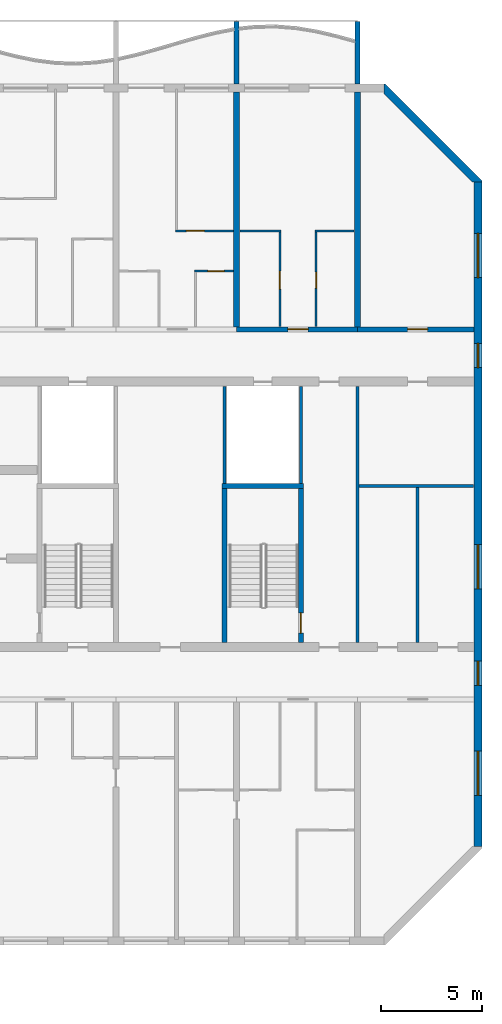
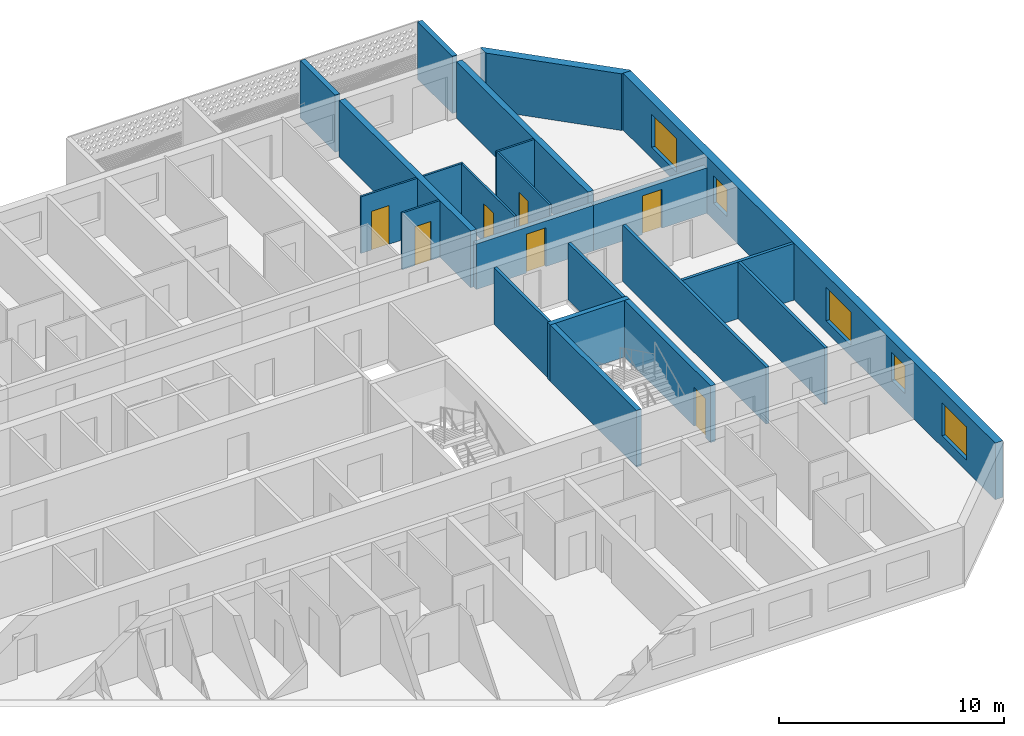
# One storey, part 12 of 31: 22 walls, 7 doors, 5 windows, 12 openings.
"""IFC4 building model written with IfcOpenShell, lengths in metres."""

from ifc_helpers import new_model, si_unit, direction, frame, frame_2d, origin, place, context, subcontext, project, spatial, polyline, rectangle, outline, extrude, source, transform, mapped, material, layer, layer_set, type_object, element, fill, save


model = new_model("IFC4")

# Units and contexts
model_context = context("Model", 3, precision=1e-05, world=origin(), true_north=direction((0.0, 1.0)))
body_context = subcontext(model_context, "Body", "Model", "MODEL_VIEW")
ifc_project = project(units=[si_unit("LENGTHUNIT", "METRE"), si_unit("AREAUNIT", "SQUARE_METRE"), si_unit("VOLUMEUNIT", "CUBIC_METRE"), si_unit("PLANEANGLEUNIT", "RADIAN"), si_unit("MASSUNIT", "GRAM", prefix="KILO")], contexts=[model_context])

# Site, building, storey
site_placement = place(None, origin())
site = spatial("IfcSite", under=ifc_project, at=site_placement, CompositionType="ELEMENT")
building_placement = place(site_placement, origin())
building = spatial("IfcBuilding", under=site, at=building_placement, Name="Poui Terraces", CompositionType="ELEMENT")
storey_placement = place(building_placement, frame((0.0, 0.0, 142.199951171875)))
storey = spatial("IfcBuildingStorey", under=building, at=storey_placement, Name="L39", CompositionType="ELEMENT", Elevation=142.199951171875)

# Wall
ifc_material_1 = material(Name="Fire-rated plasterboard wall")
ifc_layer_1 = layer(ifc_material_1, 0.14990234375)
ifc_layer_set_1 = layer_set([ifc_layer_1], Name="Fire-rated plasterboard wall")
wall_type_1 = type_object("IfcWallType", Name="CORRIDOR WALL 150", PredefinedType="PARTITIONING", material=ifc_layer_set_1)
wall_1_placement = place(storey_placement, frame((84.0, 14.8349609375, 0.0), z_axis=(0.0, 0.0, 1.0), x_axis=(0.0, 1.0, 0.0)))
element("IfcWall", 1, at=wall_1_placement, inside=storey, type_object=wall_type_1, Name="CORRIDOR WALL 150", PredefinedType="PARTITIONING", context=body_context, shape_type="SweptSolid", body=[
    extrude(rectangle(XDim=12.72998046875, YDim=0.14990234375, at=frame_2d((6.364990234375, 0.0))), origin(), (0.0, 0.0, 1.0), 3.070068359375),
])

# Wall, opening, door
ifc_material_2 = material(Name="Concrete 65 MPa", Category="concrete")
ifc_layer_2 = layer(ifc_material_2, 0.25)
ifc_layer_set_2 = layer_set([ifc_layer_2], Name="Concrete 65 MPa")
wall_type_2 = type_object("IfcWallType", Name="CORRIDOR WALL 250 65MPa", PredefinedType="SHEAR", material=ifc_layer_set_2)
wall_2_placement = place(storey_placement, frame((78.0, 30.39990234375, 0.0), z_axis=(0.0, 0.0, 1.0), x_axis=(1.0, 0.0, 0.0)))
wall_2 = element("IfcWall", 2, at=wall_2_placement, inside=storey, type_object=wall_type_2, Name="CORRIDOR WALL LINE E BAY 12", PredefinedType="SHEAR", context=body_context, shape_type="SweptSolid", body=[
    extrude(rectangle(XDim=6.0, YDim=0.25, at=frame_2d((3.0, 0.0))), origin(), (0.0, 0.0, 1.0), 2.469970703125),
])
opening_1_placement = place(wall_2_placement, frame((2.550048828125, 0.0, 0.0)))
opening_1 = element("IfcOpeningElement", 3, at=opening_1_placement, cuts=wall_2, Name="Opening FD30S", PredefinedType="OPENING", context=body_context, shape_type="SweptSolid", body=[
    extrude(rectangle(XDim=1.0, YDim=2.10009765625, at=frame_2d((0.5, 1.050048828125))), frame((0.0, 0.135009765625, 0.0), z_axis=(0.0, -1.0, 0.0), x_axis=(1.0, 0.0, 0.0)), (0.0, 0.0, 1.0), 0.27001953125),
])
ifc_material_3 = material(Name="Steel fire door", Category="steel")
door_type_1 = type_object("IfcDoorType", Name="FLAT ENTRANCE DOOR 1000 X 2100", OperationType="NOTDEFINED", PredefinedType="DOOR", material=ifc_material_3)
door_1_placement = place(opening_1_placement, origin())
door_1 = element("IfcDoor", 4, at=door_1_placement, inside=storey, type_object=door_type_1, Name="FLAT ENTRANCE DOOR 074", OperationType="SINGLE_SWING_RIGHT", OverallHeight=2.10009765625, OverallWidth=1.0, PredefinedType="DOOR", context=body_context, shape_type="SweptSolid", body=[
    extrude(rectangle(XDim=1.0, YDim=2.10009765625, at=frame_2d((0.5, 1.050048828125))), frame((0.0, 0.02490234375, 0.0), z_axis=(0.0, -1.0, 0.0), x_axis=(1.0, 0.0, 0.0)), (0.0, 0.0, 1.0), 0.050048828125),
])
fill(opening_1, door_1)

wall_3_placement = place(storey_placement, frame((84.0, 30.39990234375, 0.0), z_axis=(0.0, 0.0, 1.0), x_axis=(1.0, 0.0, 0.0)))
wall_3 = element("IfcWall", 5, at=wall_3_placement, inside=storey, type_object=wall_type_2, Name="CORRIDOR WALL LINE E BAY 13", PredefinedType="SHEAR", context=body_context, shape_type="SweptSolid", body=[
    extrude(rectangle(XDim=5.800048828125, YDim=0.25, at=frame_2d((2.89990234375, 0.0))), origin(), (0.0, 0.0, 1.0), 2.469970703125),
])
opening_2_placement = place(wall_3_placement, frame((2.5, 0.0, 0.0)))
opening_2 = element("IfcOpeningElement", 6, at=opening_2_placement, cuts=wall_3, Name="Opening D100", PredefinedType="OPENING", context=body_context, shape_type="SweptSolid", body=[
    extrude(rectangle(XDim=1.0, YDim=2.10009765625, at=frame_2d((0.5, 1.050048828125))), frame((0.0, 0.135009765625, 0.0), z_axis=(0.0, -1.0, 0.0), x_axis=(1.0, 0.0, 0.0)), (0.0, 0.0, 1.0), 0.27001953125),
])
ifc_material_4 = material(Name="Solid core timber door", Category="wood")
door_type_2 = type_object("IfcDoorType", Name="ACCESSIBLE INTERNAL DOOR 1000 X 2100", OperationType="NOTDEFINED", PredefinedType="DOOR", material=ifc_material_4)
door_2_placement = place(opening_2_placement, origin())
door_2 = element("IfcDoor", 7, at=door_2_placement, inside=storey, type_object=door_type_2, Name="ACCESSIBLE INTERNAL DOOR 076", OperationType="SINGLE_SWING_LEFT", OverallHeight=2.10009765625, OverallWidth=1.0, PredefinedType="DOOR", context=body_context, shape_type="SweptSolid", body=[
    extrude(rectangle(XDim=1.0, YDim=2.10009765625, at=frame_2d((0.5, 1.050048828125))), frame((0.0, 0.02490234375, 0.0), z_axis=(0.0, -1.0, 0.0), x_axis=(1.0, 0.0, 0.0)), (0.0, 0.0, 1.0), 0.050048828125),
])
fill(opening_2, door_2)

# Walls
ifc_layer_3 = layer(ifc_material_2, 0.300048828125)
ifc_layer_set_3 = layer_set([ifc_layer_3], Name="Concrete 65 MPa")
wall_type_3 = type_object("IfcWallType", Name="CROSS WALL 300 65MPa", PredefinedType="SHEAR", material=ifc_layer_set_3)
for number, where, z_axis, x_axis, name in (
    (8, (78.0, 30.52490234375, 0.0), (0.0, 0.0, 1.0), (0.0, 1.0, 0.0), "CROSS WALL LINE 14 NORTH"),
    (9, (84.0, 30.52490234375, 0.0), (0.0, 0.0, 1.0), (0.0, 1.0, 0.0), "CROSS WALL LINE 15 NORTH"),
):
    element("IfcWall", number, at=place(storey_placement, frame(where, z_axis=z_axis, x_axis=x_axis)), inside=storey, type_object=wall_type_3, Name=name, PredefinedType="SHEAR", context=body_context, shape_type="SweptSolid", body=[
        extrude(rectangle(XDim=11.675048828125, YDim=0.300048828125, at=frame_2d((5.83740234375, 0.0))), origin(), (0.0, 0.0, 1.0), 3.070068359375),
    ])

# Wall, openings, windows
ifc_layer_4 = layer(ifc_material_2, 0.39990234375)
ifc_layer_set_4 = layer_set([ifc_layer_4], Name="Concrete 65 MPa")
wall_type_4 = type_object("IfcWallType", Name="END WALL 400 65MPa", PredefinedType="SHEAR", material=ifc_layer_set_4)
wall_4_placement = place(storey_placement, frame((90.0, 4.682861328125, 0.0), z_axis=(0.0, 0.0, 1.0), x_axis=(0.0, 1.0, 0.0)))
wall_4 = element("IfcWall", 10, at=wall_4_placement, inside=storey, type_object=wall_type_4, Name="END WALL EAST", PredefinedType="SHEAR", context=body_context, shape_type="SweptSolid", body=[
    extrude(rectangle(XDim=33.034423828125, YDim=0.39990234375, at=frame_2d((16.51708984375, 0.0))), origin(), (0.0, 0.0, 1.0), 3.070068359375),
])
opening_3_placement = place(wall_4_placement, frame((23.817138671875, 0.0, 0.89990234375)))
opening_3 = element("IfcOpeningElement", 11, at=opening_3_placement, cuts=wall_4, Name="Opening W2", PredefinedType="OPENING", context=body_context, shape_type="SweptSolid", body=[
    extrude(rectangle(XDim=1.199951171875, YDim=1.5, at=frame_2d((0.60009765625, 0.75))), frame((0.0, 0.2099609375, 0.0), z_axis=(0.0, -1.0, 0.0), x_axis=(1.0, 0.0, 0.0)), (0.0, 0.0, 1.0), 0.419921875),
])
opening_4_placement = place(wall_4_placement, frame((8.01708984375, 0.0, 0.89990234375)))
opening_4 = element("IfcOpeningElement", 12, at=opening_4_placement, cuts=wall_4, Name="Opening W2", PredefinedType="OPENING", context=body_context, shape_type="SweptSolid", body=[
    extrude(rectangle(XDim=1.199951171875, YDim=1.5, at=frame_2d((0.60009765625, 0.75))), frame((0.0, 0.2099609375, 0.0), z_axis=(0.0, -1.0, 0.0), x_axis=(1.0, 0.0, 0.0)), (0.0, 0.0, 1.0), 0.419921875),
])
opening_5_placement = place(wall_4_placement, frame((28.29345703125, 0.0, 0.60009765625)))
opening_5 = element("IfcOpeningElement", 13, at=opening_5_placement, cuts=wall_4, Name="Opening W3", PredefinedType="OPENING", context=body_context, shape_type="SweptSolid", body=[
    extrude(rectangle(XDim=2.199951171875, YDim=1.800048828125, at=frame_2d((1.10009765625, 0.89990234375))), frame((0.0, 0.2099609375, 0.0), z_axis=(0.0, -1.0, 0.0), x_axis=(1.0, 0.0, 0.0)), (0.0, 0.0, 1.0), 0.419921875),
])
opening_6_placement = place(wall_4_placement, frame((2.541015625, 0.0, 0.60009765625)))
opening_6 = element("IfcOpeningElement", 14, at=opening_6_placement, cuts=wall_4, Name="Opening W3", PredefinedType="OPENING", context=body_context, shape_type="SweptSolid", body=[
    extrude(rectangle(XDim=2.199951171875, YDim=1.800048828125, at=frame_2d((1.10009765625, 0.89990234375))), frame((0.0, 0.2099609375, 0.0), z_axis=(0.0, -1.0, 0.0), x_axis=(1.0, 0.0, 0.0)), (0.0, 0.0, 1.0), 0.419921875),
])
opening_7_placement = place(wall_4_placement, frame((12.817138671875, 0.0, 0.60009765625)))
opening_7 = element("IfcOpeningElement", 15, at=opening_7_placement, cuts=wall_4, Name="Opening W3", PredefinedType="OPENING", context=body_context, shape_type="SweptSolid", body=[
    extrude(rectangle(XDim=2.199951171875, YDim=1.800048828125, at=frame_2d((1.10009765625, 0.89990234375))), frame((0.0, 0.2099609375, 0.0), z_axis=(0.0, -1.0, 0.0), x_axis=(1.0, 0.0, 0.0)), (0.0, 0.0, 1.0), 0.419921875),
])
ifc_material_5 = material(Name="Clear glass in aluminium frame", Category="aluminium")
window_type_1 = type_object("IfcWindowType", Name="WINDOW 1200X1500", PartitioningType="SINGLE_PANEL", PredefinedType="WINDOW", material=ifc_material_5)
window_1_placement = place(opening_3_placement, origin())
window_1 = element("IfcWindow", 16, at=window_1_placement, inside=storey, type_object=window_type_1, Name="W2 WINDOW", OverallHeight=1.5, OverallWidth=1.199951171875, PartitioningType="SINGLE_PANEL", PredefinedType="WINDOW", context=body_context, shape_type="SweptSolid", body=[
    extrude(rectangle(XDim=1.199951171875, YDim=1.5, at=frame_2d((0.60009765625, 0.75))), frame((0.0, 0.030029296875, 0.0), z_axis=(0.0, -1.0, 0.0), x_axis=(1.0, 0.0, 0.0)), (0.0, 0.0, 1.0), 0.06005859375),
])
fill(opening_3, window_1)
window_2_placement = place(opening_4_placement, origin())
window_2 = element("IfcWindow", 17, at=window_2_placement, inside=storey, type_object=window_type_1, Name="W2 WINDOW", OverallHeight=1.5, OverallWidth=1.199951171875, PartitioningType="SINGLE_PANEL", PredefinedType="WINDOW", context=body_context, shape_type="SweptSolid", body=[
    extrude(rectangle(XDim=1.199951171875, YDim=1.5, at=frame_2d((0.60009765625, 0.75))), frame((0.0, 0.030029296875, 0.0), z_axis=(0.0, -1.0, 0.0), x_axis=(1.0, 0.0, 0.0)), (0.0, 0.0, 1.0), 0.06005859375),
])
fill(opening_4, window_2)
window_type_2 = type_object("IfcWindowType", Name="WINDOW 2200X1800", PartitioningType="DOUBLE_PANEL_HORIZONTAL", PredefinedType="WINDOW", material=ifc_material_5)
window_3_placement = place(opening_5_placement, origin())
window_3 = element("IfcWindow", 18, at=window_3_placement, inside=storey, type_object=window_type_2, Name="W3 WINDOW", OverallHeight=1.800048828125, OverallWidth=2.199951171875, PartitioningType="DOUBLE_PANEL_HORIZONTAL", PredefinedType="WINDOW", context=body_context, shape_type="SweptSolid", body=[
    extrude(rectangle(XDim=2.199951171875, YDim=1.800048828125, at=frame_2d((1.10009765625, 0.89990234375))), frame((0.0, 0.030029296875, 0.0), z_axis=(0.0, -1.0, 0.0), x_axis=(1.0, 0.0, 0.0)), (0.0, 0.0, 1.0), 0.06005859375),
])
fill(opening_5, window_3)
window_4_placement = place(opening_6_placement, origin())
window_4 = element("IfcWindow", 19, at=window_4_placement, inside=storey, type_object=window_type_2, Name="W3 WINDOW", OverallHeight=1.800048828125, OverallWidth=2.199951171875, PartitioningType="DOUBLE_PANEL_HORIZONTAL", PredefinedType="WINDOW", context=body_context, shape_type="SweptSolid", body=[
    extrude(rectangle(XDim=2.199951171875, YDim=1.800048828125, at=frame_2d((1.10009765625, 0.89990234375))), frame((0.0, 0.030029296875, 0.0), z_axis=(0.0, -1.0, 0.0), x_axis=(1.0, 0.0, 0.0)), (0.0, 0.0, 1.0), 0.06005859375),
])
fill(opening_6, window_4)
window_5_placement = place(opening_7_placement, origin())
window_5 = element("IfcWindow", 20, at=window_5_placement, inside=storey, type_object=window_type_2, Name="W3 WINDOW", OverallHeight=1.800048828125, OverallWidth=2.199951171875, PartitioningType="DOUBLE_PANEL_HORIZONTAL", PredefinedType="WINDOW", context=body_context, shape_type="SweptSolid", body=[
    extrude(rectangle(XDim=2.199951171875, YDim=1.800048828125, at=frame_2d((1.10009765625, 0.89990234375))), frame((0.0, 0.030029296875, 0.0), z_axis=(0.0, -1.0, 0.0), x_axis=(1.0, 0.0, 0.0)), (0.0, 0.0, 1.0), 0.06005859375),
])
fill(opening_7, window_5)

# Wall, opening, door
ifc_material_6 = material(Name="Plasterboard partition")
ifc_layer_5 = layer(ifc_material_6, 0.10009765625)
ifc_layer_set_5 = layer_set([ifc_layer_5], Name="Plasterboard partition")
wall_type_5 = type_object("IfcWallType", Name="FLAT PARTITION 100", PredefinedType="PARTITIONING", material=ifc_layer_set_5)
wall_5_placement = place(storey_placement, frame((75.89990234375, 33.300048828125, 0.0), z_axis=(0.0, 0.0, 1.0), x_axis=(1.0, 0.0, 0.0)))
wall_5 = element("IfcWall", 21, at=wall_5_placement, inside=storey, type_object=wall_type_5, Name="FLAT PARTITION 100", PredefinedType="PARTITIONING", context=body_context, shape_type="SweptSolid", body=[
    extrude(rectangle(XDim=1.940185546875, YDim=0.10009765625, at=frame_2d((0.97021484375, 0.0))), origin(), (0.0, 0.0, 1.0), 3.070068359375),
])
opening_8_placement = place(wall_5_placement, frame((0.675048828125, 0.0, 0.0)))
opening_8 = element("IfcOpeningElement", 22, at=opening_8_placement, cuts=wall_5, Name="Opening D80", PredefinedType="OPENING", context=body_context, shape_type="SweptSolid", body=[
    extrude(rectangle(XDim=0.800048828125, YDim=2.10009765625, at=frame_2d((0.39990234375, 1.050048828125))), frame((0.0, 0.06005859375, 0.0), z_axis=(0.0, -1.0, 0.0), x_axis=(1.0, 0.0, 0.0)), (0.0, 0.0, 1.0), 0.1201171875),
])
door_type_3 = type_object("IfcDoorType", Name="BATHROOM, LAUNDRY AND STORE DOOR 800 X 2100", OperationType="NOTDEFINED", PredefinedType="DOOR", material=ifc_material_4)
door_3_placement = place(opening_8_placement, frame((0.800048828125, 0.0, 0.0), z_axis=(0.0, 0.0, 1.0), x_axis=(-1.0, 0.0, 0.0)))
door_3 = element("IfcDoor", 23, at=door_3_placement, inside=storey, type_object=door_type_3, Name="BATHROOM, LAUNDRY AND STORE DOOR 072", OperationType="SINGLE_SWING_RIGHT", OverallHeight=2.10009765625, OverallWidth=0.800048828125, PredefinedType="DOOR", context=body_context, shape_type="SweptSolid", body=[
    extrude(rectangle(XDim=0.800048828125, YDim=2.10009765625, at=frame_2d((0.39990234375, 1.050048828125))), frame((0.0, 0.02490234375, 0.0), z_axis=(0.0, -1.0, 0.0), x_axis=(1.0, 0.0, 0.0)), (0.0, 0.0, 1.0), 0.050048828125),
])
fill(opening_8, door_3)

wall_6_placement = place(storey_placement, frame((74.949951171875, 35.300048828125, 0.0), z_axis=(0.0, 0.0, 1.0), x_axis=(1.0, 0.0, 0.0)))
wall_6 = element("IfcWall", 24, at=wall_6_placement, inside=storey, type_object=wall_type_5, Name="FLAT PARTITION 100", PredefinedType="PARTITIONING", context=body_context, shape_type="SweptSolid", body=[
    extrude(rectangle(XDim=2.89013671875, YDim=0.10009765625, at=frame_2d((1.445068359375, 0.0))), origin(), (0.0, 0.0, 1.0), 3.070068359375),
])
opening_9_placement = place(wall_6_placement, frame((0.550048828125, 0.0, 0.0)))
opening_9 = element("IfcOpeningElement", 25, at=opening_9_placement, cuts=wall_6, Name="Opening D90", PredefinedType="OPENING", context=body_context, shape_type="SweptSolid", body=[
    extrude(rectangle(XDim=0.89990234375, YDim=2.10009765625, at=frame_2d((0.449951171875, 1.050048828125))), frame((0.0, 0.06005859375, 0.0), z_axis=(0.0, -1.0, 0.0), x_axis=(1.0, 0.0, 0.0)), (0.0, 0.0, 1.0), 0.1201171875),
])
door_type_4 = type_object("IfcDoorType", Name="INTERNAL DOOR 900 X 2100", OperationType="NOTDEFINED", PredefinedType="DOOR", material=ifc_material_4)
door_4_placement = place(opening_9_placement, frame((0.89990234375, 0.0, 0.0), z_axis=(0.0, 0.0, 1.0), x_axis=(-1.0, 0.0, 0.0)))
door_4 = element("IfcDoor", 26, at=door_4_placement, inside=storey, type_object=door_type_4, Name="INTERNAL DOOR 071", OperationType="SINGLE_SWING_LEFT", OverallHeight=2.10009765625, OverallWidth=0.89990234375, PredefinedType="DOOR", context=body_context, shape_type="SweptSolid", body=[
    extrude(rectangle(XDim=0.89990234375, YDim=2.10009765625, at=frame_2d((0.449951171875, 1.050048828125))), frame((0.0, 0.02490234375, 0.0), z_axis=(0.0, -1.0, 0.0), x_axis=(1.0, 0.0, 0.0)), (0.0, 0.0, 1.0), 0.050048828125),
])
fill(opening_9, door_4)

# Walls
wall_7_placement = place(storey_placement, frame((78.159912109375, 35.300048828125, 0.0), z_axis=(0.0, 0.0, 1.0), x_axis=(1.0, 0.0, 0.0)))
element("IfcWall", 27, at=wall_7_placement, inside=storey, type_object=wall_type_5, Name="FLAT PARTITION 100", PredefinedType="PARTITIONING", context=body_context, shape_type="SweptSolid", body=[
    extrude(rectangle(XDim=2.0400390625, YDim=0.10009765625, at=frame_2d((1.02001953125, 0.0))), origin(), (0.0, 0.0, 1.0), 3.070068359375),
])
wall_8_placement = place(storey_placement, frame((81.89990234375, 35.300048828125, 0.0), z_axis=(0.0, 0.0, 1.0), x_axis=(1.0, 0.0, 0.0)))
element("IfcWall", 28, at=wall_8_placement, inside=storey, type_object=wall_type_5, Name="FLAT PARTITION 100", PredefinedType="PARTITIONING", context=body_context, shape_type="SweptSolid", body=[
    extrude(rectangle(XDim=1.940185546875, YDim=0.10009765625, at=frame_2d((0.97021484375, 0.0))), origin(), (0.0, 0.0, 1.0), 3.070068359375),
])

# Wall, opening, door
wall_9_placement = place(storey_placement, frame((80.14990234375, 30.534912109375, 0.0), z_axis=(0.0, 0.0, 1.0), x_axis=(0.0, 1.0, 0.0)))
wall_9 = element("IfcWall", 29, at=wall_9_placement, inside=storey, type_object=wall_type_5, Name="FLAT PARTITION 100", PredefinedType="PARTITIONING", context=body_context, shape_type="SweptSolid", body=[
    extrude(rectangle(XDim=4.715087890625, YDim=0.10009765625, at=frame_2d((2.357421875, 0.0))), origin(), (0.0, 0.0, 1.0), 3.070068359375),
])
opening_10_placement = place(wall_9_placement, frame((1.864990234375, 0.0, 0.0)))
opening_10 = element("IfcOpeningElement", 30, at=opening_10_placement, cuts=wall_9, Name="Opening D90", PredefinedType="OPENING", context=body_context, shape_type="SweptSolid", body=[
    extrude(rectangle(XDim=0.89990234375, YDim=2.10009765625, at=frame_2d((0.449951171875, 1.050048828125))), frame((0.0, 0.06005859375, 0.0), z_axis=(0.0, -1.0, 0.0), x_axis=(1.0, 0.0, 0.0)), (0.0, 0.0, 1.0), 0.1201171875),
])
door_5_placement = place(opening_10_placement, origin())
door_5 = element("IfcDoor", 31, at=door_5_placement, inside=storey, type_object=door_type_4, Name="INTERNAL DOOR 073", OperationType="SINGLE_SWING_RIGHT", OverallHeight=2.10009765625, OverallWidth=0.89990234375, PredefinedType="DOOR", context=body_context, shape_type="SweptSolid", body=[
    extrude(rectangle(XDim=0.89990234375, YDim=2.10009765625, at=frame_2d((0.449951171875, 1.050048828125))), frame((0.0, 0.02490234375, 0.0), z_axis=(0.0, -1.0, 0.0), x_axis=(1.0, 0.0, 0.0)), (0.0, 0.0, 1.0), 0.050048828125),
])
fill(opening_10, door_5)

wall_10_placement = place(storey_placement, frame((81.949951171875, 30.534912109375, 0.0), z_axis=(0.0, 0.0, 1.0), x_axis=(0.0, 1.0, 0.0)))
wall_10 = element("IfcWall", 32, at=wall_10_placement, inside=storey, type_object=wall_type_5, Name="FLAT PARTITION 100", PredefinedType="PARTITIONING", context=body_context, shape_type="SweptSolid", body=[
    extrude(rectangle(XDim=4.715087890625, YDim=0.10009765625, at=frame_2d((2.357421875, 0.0))), origin(), (0.0, 0.0, 1.0), 3.070068359375),
])
opening_11_placement = place(wall_10_placement, frame((1.9150390625, 0.0, 0.0)))
opening_11 = element("IfcOpeningElement", 33, at=opening_11_placement, cuts=wall_10, Name="Opening D80", PredefinedType="OPENING", context=body_context, shape_type="SweptSolid", body=[
    extrude(rectangle(XDim=0.800048828125, YDim=2.10009765625, at=frame_2d((0.39990234375, 1.050048828125))), frame((0.0, 0.06005859375, 0.0), z_axis=(0.0, -1.0, 0.0), x_axis=(1.0, 0.0, 0.0)), (0.0, 0.0, 1.0), 0.1201171875),
])
door_6_placement = place(opening_11_placement, frame((0.800048828125, 0.0, 0.0), z_axis=(0.0, 0.0, 1.0), x_axis=(-1.0, 0.0, 0.0)))
door_6 = element("IfcDoor", 34, at=door_6_placement, inside=storey, type_object=door_type_3, Name="BATHROOM, LAUNDRY AND STORE DOOR 075", OperationType="SINGLE_SWING_RIGHT", OverallHeight=2.10009765625, OverallWidth=0.800048828125, PredefinedType="DOOR", context=body_context, shape_type="SweptSolid", body=[
    extrude(rectangle(XDim=0.800048828125, YDim=2.10009765625, at=frame_2d((0.39990234375, 1.050048828125))), frame((0.0, 0.02490234375, 0.0), z_axis=(0.0, -1.0, 0.0), x_axis=(1.0, 0.0, 0.0)), (0.0, 0.0, 1.0), 0.050048828125),
])
fill(opening_11, door_6)

# Walls
ifc_layer_6 = layer(ifc_material_6, 0.14990234375)
ifc_layer_set_6 = layer_set([ifc_layer_6], Name="Plasterboard partition")
wall_type_6 = type_object("IfcWallType", Name="PARTITION WALL 150", PredefinedType="PARTITIONING", material=ifc_layer_set_6)
wall_11_placement = place(storey_placement, frame((84.074951171875, 22.60009765625, 0.0), z_axis=(0.0, 0.0, 1.0), x_axis=(1.0, 0.0, 0.0)))
element("IfcWall", 35, at=wall_11_placement, inside=storey, type_object=wall_type_6, Name="PARTITION WALL 150", PredefinedType="PARTITIONING", context=body_context, shape_type="SweptSolid", body=[
    extrude(rectangle(XDim=5.715087890625, YDim=0.14990234375, at=frame_2d((2.857421875, 0.0))), origin(), (0.0, 0.0, 1.0), 3.070068359375),
])
wall_12_placement = place(storey_placement, frame((87.0, 14.8349609375, 0.0), z_axis=(0.0, 0.0, 1.0), x_axis=(0.0, 1.0, 0.0)))
element("IfcWall", 36, at=wall_12_placement, inside=storey, type_object=wall_type_6, Name="PARTITION WALL 150", PredefinedType="PARTITIONING", context=body_context, shape_type="SweptSolid", body=[
    extrude(rectangle(XDim=7.68994140625, YDim=0.14990234375, at=frame_2d((3.844970703125, 0.0))), origin(), (0.0, 0.0, 1.0), 3.070068359375),
])
ifc_material_7 = material(Name="Fire-rated plasterboard riser wall")
ifc_layer_7 = layer(ifc_material_7, 0.14990234375)
ifc_layer_set_7 = layer_set([ifc_layer_7], Name="Fire-rated plasterboard riser wall")
wall_type_7 = type_object("IfcWallType", Name="RISER WALL 150", PredefinedType="PARTITIONING", material=ifc_layer_set_7)
for number, where, z_axis, x_axis, name in (
    (37, (77.39990234375, 22.735107421875, 0.0), (0.0, 0.0, 1.0), (0.0, 1.0, 0.0), "RISER WALL 150"),
    (38, (81.199951171875, 22.735107421875, 0.0), (0.0, 0.0, 1.0), (0.0, 1.0, 0.0), "RISER WALL 150"),
):
    element("IfcWall", number, at=place(storey_placement, frame(where, z_axis=z_axis, x_axis=x_axis)), inside=storey, type_object=wall_type_7, Name=name, PredefinedType="PARTITIONING", context=body_context, shape_type="SweptSolid", body=[
        extrude(rectangle(XDim=4.829833984375, YDim=0.14990234375, at=frame_2d((2.4150390625, 0.0))), origin(), (0.0, 0.0, 1.0), 3.070068359375),
    ])
ifc_layer_8 = layer(ifc_material_2, 0.25)
ifc_layer_set_8 = layer_set([ifc_layer_8], Name="Concrete 65 MPa")
wall_type_8 = type_object("IfcWallType", Name="STAIR CORE WALL 250 65 MPA", PredefinedType="SOLIDWALL", material=ifc_layer_set_8)
wall_13_placement = place(storey_placement, frame((77.39990234375, 14.824951171875, 0.0), z_axis=(0.0, 0.0, 1.0), x_axis=(0.0, 1.0, 0.0)))
element("IfcWall", 39, at=wall_13_placement, inside=storey, type_object=wall_type_8, Name="STAIR CORE WALL", PredefinedType="SOLIDWALL", context=body_context, shape_type="SweptSolid", body=[
    extrude(rectangle(XDim=7.650146484375, YDim=0.25, at=frame_2d((3.8251953125, 0.0))), origin(), (0.0, 0.0, 1.0), 3.070068359375),
])

# Wall, opening, door
wall_14_placement = place(storey_placement, frame((81.199951171875, 14.824951171875, 0.0), z_axis=(0.0, 0.0, 1.0), x_axis=(0.0, 1.0, 0.0)))
wall_14 = element("IfcWall", 40, at=wall_14_placement, inside=storey, type_object=wall_type_8, Name="STAIR CORE WALL", PredefinedType="SOLIDWALL", context=body_context, shape_type="SweptSolid", body=[
    extrude(rectangle(XDim=7.650146484375, YDim=0.25, at=frame_2d((3.8251953125, 0.0))), origin(), (0.0, 0.0, 1.0), 3.070068359375),
])
opening_12_placement = place(wall_14_placement, frame((0.47509765625, 0.0, 0.0)))
opening_12 = element("IfcOpeningElement", 41, at=opening_12_placement, cuts=wall_14, Name="Opening FD60S", PredefinedType="OPENING", context=body_context, shape_type="SweptSolid", body=[
    extrude(rectangle(XDim=1.0, YDim=2.10009765625, at=frame_2d((0.5, 1.050048828125))), frame((0.0, 0.135009765625, 0.0), z_axis=(0.0, -1.0, 0.0), x_axis=(1.0, 0.0, 0.0)), (0.0, 0.0, 1.0), 0.27001953125),
])
door_type_5 = type_object("IfcDoorType", Name="STAIR DOOR 1000 X 2100", OperationType="NOTDEFINED", PredefinedType="DOOR", material=ifc_material_3)
door_7_placement = place(opening_12_placement, origin())
door_7 = element("IfcDoor", 42, at=door_7_placement, inside=storey, type_object=door_type_5, Name="STAIR DOOR 135", OperationType="SINGLE_SWING_LEFT", OverallHeight=2.10009765625, OverallWidth=1.0, PredefinedType="DOOR", context=body_context, shape_type="SweptSolid", body=[
    extrude(rectangle(XDim=1.0, YDim=2.10009765625, at=frame_2d((0.5, 1.050048828125))), frame((0.0, 0.02490234375, 0.0), z_axis=(0.0, -1.0, 0.0), x_axis=(1.0, 0.0, 0.0)), (0.0, 0.0, 1.0), 0.050048828125),
])
fill(opening_12, door_7)

# Walls
wall_15_placement = place(storey_placement, frame((77.27490234375, 22.60009765625, 0.0), z_axis=(0.0, 0.0, 1.0), x_axis=(1.0, 0.0, 0.0)))
element("IfcWall", 43, at=wall_15_placement, inside=storey, type_object=wall_type_8, Name="STAIR CORE WALL", PredefinedType="SOLIDWALL", context=body_context, shape_type="SweptSolid", body=[
    extrude(rectangle(XDim=4.050048828125, YDim=0.25, at=frame_2d((2.02490234375, 0.0))), origin(), (0.0, 0.0, 1.0), 3.070068359375),
])
ifc_material_8 = material(Name="Precast concrete 40 MPa", Category="concrete")
ifc_layer_9 = layer(ifc_material_8, 0.39990234375)
ifc_layer_set_9 = layer_set([ifc_layer_9], Name="Precast concrete 40 MPa")
wall_type_9 = type_object("IfcWallType", Name="TERRACOTTA CLAD CHAMFER WALL 400", PredefinedType="STANDARD", material=ifc_layer_set_9)
wall_16_placement = place(storey_placement, origin())
element("IfcWall", 44, at=wall_16_placement, inside=storey, type_object=wall_type_9, Name="CHAMFER WALL CH03", PredefinedType="STANDARD", context=body_context, shape_type="SweptSolid", body=[
    extrude(outline(polyline([(90.199951171875, 37.71728515625), (90.199951171875, 37.800048828125), (85.39990234375, 42.60009765625), (85.317138671875, 42.60009765625), (85.317138671875, 42.1171875), (89.71728515625, 37.71728515625), (90.199951171875, 37.71728515625)])), origin(), (0.0, 0.0, 1.0), 3.070068359375),
])
ifc_layer_10 = layer(ifc_material_8, 0.25)
ifc_layer_set_10 = layer_set([ifc_layer_10], Name="Precast concrete 40 MPa")
wall_type_10 = type_object("IfcWallType", Name="BALCONY FIN 250", PredefinedType="STANDARD", material=ifc_layer_set_10)
shared_shape = source(origin(), body_context, "Body", "SweptSolid", [
    extrude(outline(polyline([(0.0, 0.0), (0.25, 0.0), (0.25, 3.099853515625), (0.0, 3.099853515625), (0.0, 0.0)])), origin(), (0.0, 0.0, 1.0), 3.10009765625),
])
for number, where, name in (
    (45, (77.875, 42.60009765625, 0.0), "BALCONY FIN"),
    (46, (83.875, 42.60009765625, 0.0), "BALCONY FIN"),
):
    element("IfcWall", number, at=place(storey_placement, frame(where)), inside=storey, type_object=wall_type_10, Name=name, PredefinedType="STANDARD", context=body_context, shape_type="MappedRepresentation", body=[
        mapped(shared_shape, transform((0.0, 0.0, 0.0))),
    ])

save(model, "model.ifc")
